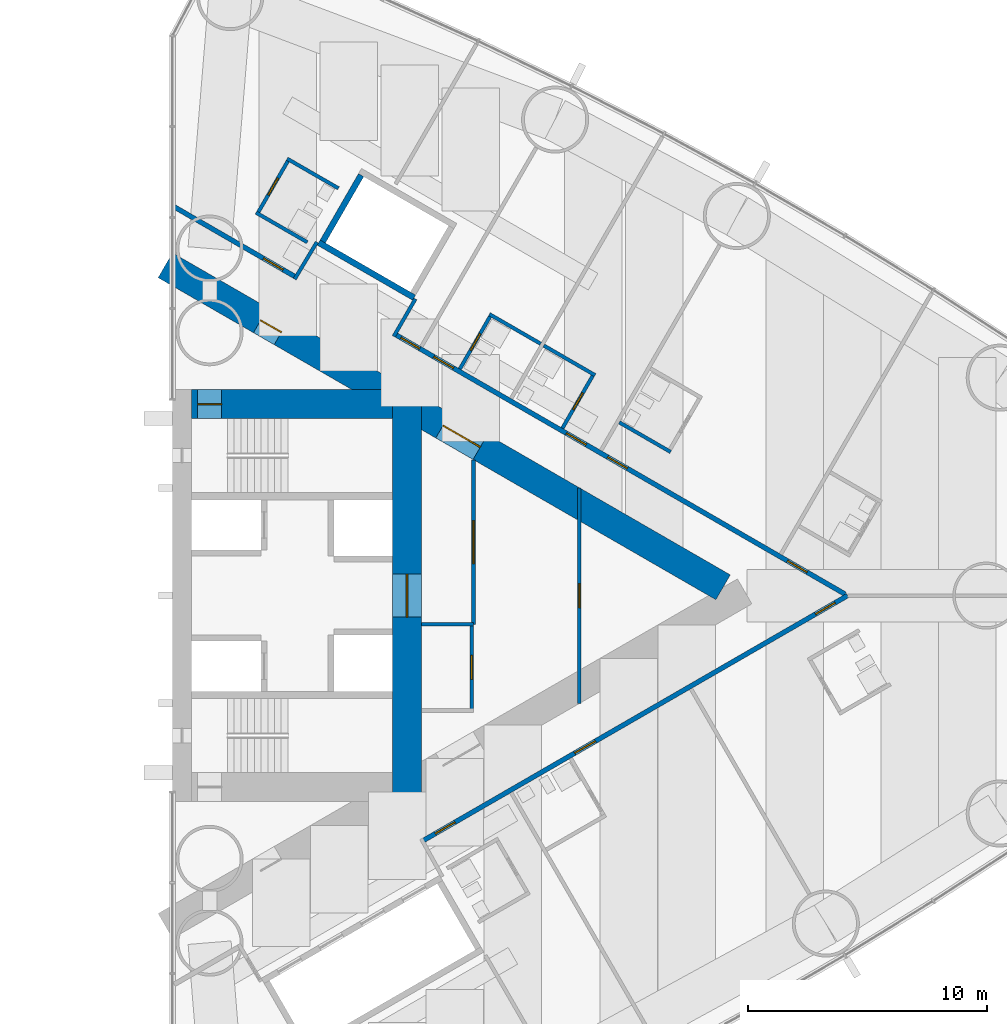
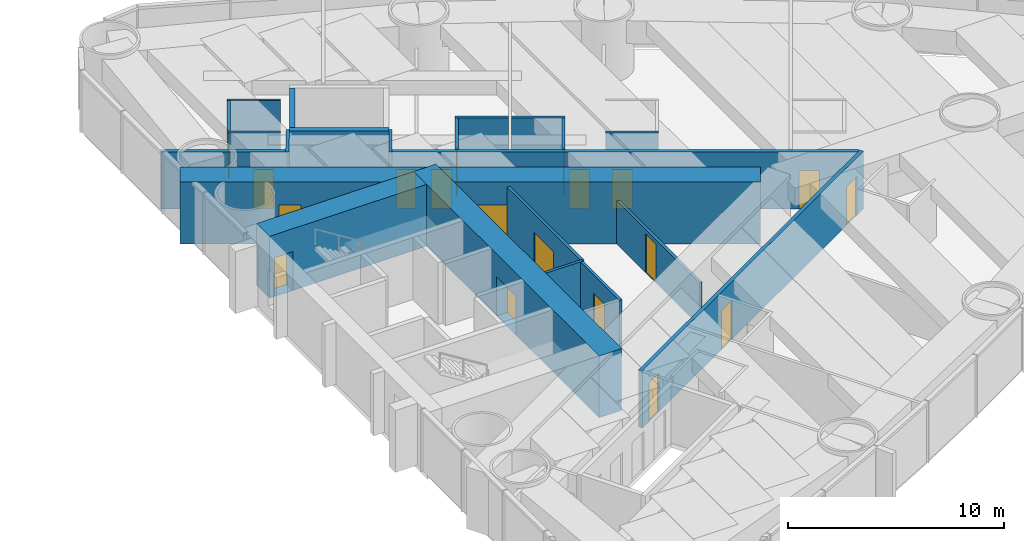
# One storey, part 14 of 18: 22 walls, 19 doors, 19 openings.
"""IFC4 building model written with IfcOpenShell, lengths in metres."""

from ifc_helpers import new_model, si_unit, direction, frame, frame_2d, origin, place, context, subcontext, project, spatial, rectangle, extrude, material, layer, layer_set, type_object, element, fill, save


model = new_model("IFC4")

# Units and contexts
model_context = context("Model", 3, precision=1e-05, world=origin(), true_north=direction((0.0, 1.0)))
body_context = subcontext(model_context, "Body", "Model", "MODEL_VIEW")
ifc_project = project(units=[si_unit("LENGTHUNIT", "METRE"), si_unit("AREAUNIT", "SQUARE_METRE"), si_unit("VOLUMEUNIT", "CUBIC_METRE"), si_unit("PLANEANGLEUNIT", "RADIAN"), si_unit("MASSUNIT", "GRAM", prefix="KILO")], contexts=[model_context])

# Site, building, storey
site_placement = place(None, origin())
site = spatial("IfcSite", under=ifc_project, at=site_placement, CompositionType="ELEMENT")
building_placement = place(site_placement, origin())
building = spatial("IfcBuilding", under=site, at=building_placement, Name="Lancet Gate Hotel", CompositionType="ELEMENT")
storey_placement = place(building_placement, frame((0.0, 0.0, 42.5)))
storey = spatial("IfcBuildingStorey", under=building, at=storey_placement, Name="L10", CompositionType="ELEMENT", Elevation=42.5)

# Walls
ifc_material_1 = material(Name="Moisture resistant board partition")
ifc_layer_1 = layer(ifc_material_1, 0.14990234375)
ifc_layer_set_1 = layer_set([ifc_layer_1], Name="Bathroom wall 150")
wall_type_1 = type_object("IfcWallType", Name="Bathroom wall 150", PredefinedType="PARTITIONING", material=ifc_layer_set_1)
wall_1_placement = place(storey_placement, frame((46.16796875, 7.23681640625, 0.0), z_axis=(0.0, 0.0, 1.0), x_axis=(0.866006523861, -0.500032699561, 0.0)))
element("IfcWall", 1, at=wall_1_placement, inside=storey, type_object=wall_type_1, Name="T2 bathroom wall 150 L10", PredefinedType="PARTITIONING", context=body_context, shape_type="SweptSolid", body=[
    extrude(rectangle(XDim=2.474853515625, YDim=0.14990234375, at=frame_2d((1.2373046875, 0.0))), origin(), (0.0, 0.0, 1.0), 3.25),
])
wall_2_placement = place(storey_placement, frame((43.01220703125, 10.4443359375, 0.0), z_axis=(0.0, 0.0, 1.0), x_axis=(0.866031185235, -0.4999899861, 0.0)))
element("IfcWall", 2, at=wall_2_placement, inside=storey, type_object=wall_type_1, Name="T2 bathroom wall 150 L10", PredefinedType="PARTITIONING", context=body_context, shape_type="SweptSolid", body=[
    extrude(rectangle(XDim=2.47509765625, YDim=0.14990234375, at=frame_2d((1.237548828125, 0.0))), origin(), (0.0, 0.0, 1.0), 3.25),
])

# Wall, opening, door
wall_3_placement = place(storey_placement, frame((43.790771484375, 6.99267578125, 0.0), z_axis=(0.0, 0.0, 1.0), x_axis=(0.500047596559, 0.865997922154, 0.0)))
wall_3 = element("IfcWall", 3, at=wall_3_placement, inside=storey, type_object=wall_type_1, Name="T2 bathroom wall 150 L10", PredefinedType="PARTITIONING", context=body_context, shape_type="SweptSolid", body=[
    extrude(rectangle(XDim=2.599853515625, YDim=0.14990234375, at=frame_2d((1.2998046875, 0.0))), origin(), (0.0, 0.0, 1.0), 3.25),
])
opening_1_placement = place(wall_3_placement, frame((0.89990234375, 0.0, 0.0)))
opening_1 = element("IfcOpeningElement", 4, at=opening_1_placement, cuts=wall_3, Name="Opening 1061-B", PredefinedType="OPENING", context=body_context, shape_type="SweptSolid", body=[
    extrude(rectangle(XDim=0.800048828125, YDim=2.199951171875, at=frame_2d((0.39990234375, 1.10009765625))), frame((0.0, 0.0849609375, 0.0), z_axis=(0.0, -1.0, 0.0), x_axis=(1.0, 0.0, 0.0)), (0.0, 0.0, 1.0), 0.169921875),
])
ifc_material_2 = material(Name="Timber door set", Category="wood")
door_type_1 = type_object("IfcDoorType", Name="Bathroom door 800", OperationType="SINGLE_SWING_RIGHT", PredefinedType="DOOR", material=ifc_material_2)
door_1_placement = place(opening_1_placement, origin())
door_1 = element("IfcDoor", 5, at=door_1_placement, inside=storey, type_object=door_type_1, Name="1061-B", OperationType="SINGLE_SWING_RIGHT", OverallHeight=2.199951171875, OverallWidth=0.800048828125, PredefinedType="DOOR", context=body_context, shape_type="SweptSolid", body=[
    extrude(rectangle(XDim=0.800048828125, YDim=2.199951171875, at=frame_2d((0.39990234375, 1.10009765625))), frame((0.0, 0.02490234375, 0.0), z_axis=(0.0, -1.0, 0.0), x_axis=(1.0, 0.0, 0.0)), (0.0, 0.0, 1.0), 0.050048828125),
])
fill(opening_1, door_1)

# Wall
wall_4_placement = place(storey_placement, frame((40.739013671875, 11.7568359375, 0.0), z_axis=(0.0, 0.0, 1.0), x_axis=(0.866006523861, -0.500032699561, 0.0)))
element("IfcWall", 6, at=wall_4_placement, inside=storey, type_object=wall_type_1, Name="T2 bathroom wall 150 L10", PredefinedType="PARTITIONING", context=body_context, shape_type="SweptSolid", body=[
    extrude(rectangle(XDim=2.474853515625, YDim=0.14990234375, at=frame_2d((1.2373046875, 0.0))), origin(), (0.0, 0.0, 1.0), 3.25),
])

# Wall, opening, door
wall_5_placement = place(storey_placement, frame((39.50390625, 9.467529296875, 0.0), z_axis=(0.0, 0.0, 1.0), x_axis=(0.500006934395, 0.866021400173, 0.0)))
wall_5 = element("IfcWall", 7, at=wall_5_placement, inside=storey, type_object=wall_type_1, Name="T2 bathroom wall 150 L10", PredefinedType="PARTITIONING", context=body_context, shape_type="SweptSolid", body=[
    extrude(rectangle(XDim=2.60009765625, YDim=0.14990234375, at=frame_2d((1.300048828125, 0.0))), origin(), (0.0, 0.0, 1.0), 3.25),
])
opening_2_placement = place(wall_5_placement, frame((0.89990234375, 0.0, 0.0)))
opening_2 = element("IfcOpeningElement", 8, at=opening_2_placement, cuts=wall_5, Name="Opening 1062-B", PredefinedType="OPENING", context=body_context, shape_type="SweptSolid", body=[
    extrude(rectangle(XDim=0.800048828125, YDim=2.199951171875, at=frame_2d((0.39990234375, 1.10009765625))), frame((0.0, 0.0849609375, 0.0), z_axis=(0.0, -1.0, 0.0), x_axis=(1.0, 0.0, 0.0)), (0.0, 0.0, 1.0), 0.169921875),
])
door_2_placement = place(opening_2_placement, origin())
door_2 = element("IfcDoor", 9, at=door_2_placement, inside=storey, type_object=door_type_1, Name="1062-B", OperationType="SINGLE_SWING_RIGHT", OverallHeight=2.199951171875, OverallWidth=0.800048828125, PredefinedType="DOOR", context=body_context, shape_type="SweptSolid", body=[
    extrude(rectangle(XDim=0.800048828125, YDim=2.199951171875, at=frame_2d((0.39990234375, 1.10009765625))), frame((0.0, 0.02490234375, 0.0), z_axis=(0.0, -1.0, 0.0), x_axis=(1.0, 0.0, 0.0)), (0.0, 0.0, 1.0), 0.050048828125),
])
fill(opening_2, door_2)

# Wall
wall_6_placement = place(storey_placement, frame((32.2890625, 18.251953125, 0.0), z_axis=(0.0, 0.0, 1.0), x_axis=(0.866006523861, -0.500032699561, 0.0)))
element("IfcWall", 10, at=wall_6_placement, inside=storey, type_object=wall_type_1, Name="T2 bathroom wall 150 L10", PredefinedType="PARTITIONING", context=body_context, shape_type="SweptSolid", body=[
    extrude(rectangle(XDim=2.474853515625, YDim=0.14990234375, at=frame_2d((1.2373046875, 0.0))), origin(), (0.0, 0.0, 1.0), 3.25),
])

# Wall, opening, door
wall_7_placement = place(storey_placement, frame((31.053955078125, 15.962646484375, 0.0), z_axis=(0.0, 0.0, 1.0), x_axis=(0.500006934395, 0.866021400173, 0.0)))
wall_7 = element("IfcWall", 11, at=wall_7_placement, inside=storey, type_object=wall_type_1, Name="T2 bathroom wall 150 L10", PredefinedType="PARTITIONING", context=body_context, shape_type="SweptSolid", body=[
    extrude(rectangle(XDim=2.60009765625, YDim=0.14990234375, at=frame_2d((1.300048828125, 0.0))), origin(), (0.0, 0.0, 1.0), 3.25),
])
opening_3_placement = place(wall_7_placement, frame((0.89990234375, 0.0, 0.0)))
opening_3 = element("IfcOpeningElement", 12, at=opening_3_placement, cuts=wall_7, Name="Opening 1064-B", PredefinedType="OPENING", context=body_context, shape_type="SweptSolid", body=[
    extrude(rectangle(XDim=0.800048828125, YDim=2.199951171875, at=frame_2d((0.39990234375, 1.10009765625))), frame((0.0, 0.0849609375, 0.0), z_axis=(0.0, -1.0, 0.0), x_axis=(1.0, 0.0, 0.0)), (0.0, 0.0, 1.0), 0.169921875),
])
door_3_placement = place(opening_3_placement, origin())
door_3 = element("IfcDoor", 13, at=door_3_placement, inside=storey, type_object=door_type_1, Name="1064-B", OperationType="SINGLE_SWING_RIGHT", OverallHeight=2.199951171875, OverallWidth=0.800048828125, PredefinedType="DOOR", context=body_context, shape_type="SweptSolid", body=[
    extrude(rectangle(XDim=0.800048828125, YDim=2.199951171875, at=frame_2d((0.39990234375, 1.10009765625))), frame((0.0, 0.02490234375, 0.0), z_axis=(0.0, -1.0, 0.0), x_axis=(1.0, 0.0, 0.0)), (0.0, 0.0, 1.0), 0.050048828125),
])
fill(opening_3, door_3)

# Wall
wall_8_placement = place(storey_placement, frame((30.989013671875, 16.000244140625, 0.0), z_axis=(0.0, 0.0, 1.0), x_axis=(0.866031185235, -0.4999899861, 0.0)))
element("IfcWall", 14, at=wall_8_placement, inside=storey, type_object=wall_type_1, Name="T2 bathroom wall 150 L10", PredefinedType="PARTITIONING", context=body_context, shape_type="SweptSolid", body=[
    extrude(rectangle(XDim=2.47509765625, YDim=0.14990234375, at=frame_2d((1.237548828125, 0.0))), origin(), (0.0, 0.0, 1.0), 3.25),
])

# Wall, openings, doors
ifc_material_3 = material(Name="Concrete C70/85", Category="concrete")
ifc_layer_2 = layer(ifc_material_3, 1.199951171875)
ifc_layer_set_2 = layer_set([ifc_layer_2], Name="Buttress wall 1200")
wall_type_2 = type_object("IfcWallType", Name="Buttress wall 1200", PredefinedType="SHEAR", material=ifc_layer_set_2)
wall_9_placement = place(storey_placement, frame((27.199951171875, 13.800048828125, 0.0), z_axis=(0.0, 0.0, 1.0), x_axis=(0.866024515034, -0.500001539357, 0.0)))
wall_9 = element("IfcWall", 15, at=wall_9_placement, inside=storey, type_object=wall_type_2, Name="T2 buttress wall N L10", PredefinedType="SHEAR", context=body_context, shape_type="SweptSolid", body=[
    extrude(rectangle(XDim=26.9072265625, YDim=1.199951171875, at=frame_2d((13.45361328125, 0.0))), origin(), (0.0, 0.0, 1.0), 3.5),
])
opening_4_placement = place(wall_9_placement, frame((4.60009765625, 0.0, 0.0)))
opening_4 = element("IfcOpeningElement", 16, at=opening_4_placement, cuts=wall_9, Name="Opening T2-L10-LN", PredefinedType="OPENING", context=body_context, shape_type="SweptSolid", body=[
    extrude(rectangle(XDim=1.0, YDim=2.199951171875, at=frame_2d((0.5, 1.10009765625))), frame((0.0, 0.60986328125, 0.0), z_axis=(0.0, -1.0, 0.0), x_axis=(1.0, 0.0, 0.0)), (0.0, 0.0, 1.0), 1.219970703125),
])
opening_5_placement = place(wall_9_placement, frame((13.39453125, 0.0, 0.0)))
opening_5 = element("IfcOpeningElement", 17, at=opening_5_placement, cuts=wall_9, Name="Opening T2-L10-LHN", PredefinedType="OPENING", context=body_context, shape_type="SweptSolid", body=[
    extrude(rectangle(XDim=1.800048828125, YDim=2.199951171875, at=frame_2d((0.89990234375, 1.10009765625))), frame((0.0, 0.60986328125, 0.0), z_axis=(0.0, -1.0, 0.0), x_axis=(1.0, 0.0, 0.0)), (0.0, 0.0, 1.0), 1.219970703125),
])
ifc_material_4 = material(Name="Timber door set", Category="wood")
door_type_2 = type_object("IfcDoorType", Name="Lobby double door 1800", OperationType="DOUBLE_DOOR_SINGLE_SWING", PredefinedType="DOOR", material=ifc_material_4)
door_4_placement = place(opening_5_placement, origin())
door_4 = element("IfcDoor", 18, at=door_4_placement, inside=storey, type_object=door_type_2, Name="T2-L10-LHN", OperationType="DOUBLE_DOOR_SINGLE_SWING", OverallHeight=2.199951171875, OverallWidth=1.800048828125, PredefinedType="DOOR", context=body_context, shape_type="SweptSolid", body=[
    extrude(rectangle(XDim=1.800048828125, YDim=2.199951171875, at=frame_2d((0.89990234375, 1.10009765625))), frame((0.0, 0.02490234375, 0.0), z_axis=(0.0, -1.0, 0.0), x_axis=(1.0, 0.0, 0.0)), (0.0, 0.0, 1.0), 0.050048828125),
])
fill(opening_5, door_4)
ifc_material_5 = material(Name="Timber door set", Category="wood")
door_type_3 = type_object("IfcDoorType", Name="Stair lobby door 1000", OperationType="SINGLE_SWING_LEFT", PredefinedType="DOOR", material=ifc_material_5)
door_5_placement = place(opening_4_placement, origin())
door_5 = element("IfcDoor", 19, at=door_5_placement, inside=storey, type_object=door_type_3, Name="T2-L10-LN", OperationType="SINGLE_SWING_LEFT", OverallHeight=2.199951171875, OverallWidth=1.0, PredefinedType="DOOR", context=body_context, shape_type="SweptSolid", body=[
    extrude(rectangle(XDim=1.0, YDim=2.199951171875, at=frame_2d((0.5, 1.10009765625))), frame((0.0, 0.02490234375, 0.0), z_axis=(0.0, -1.0, 0.0), x_axis=(1.0, 0.0, 0.0)), (0.0, 0.0, 1.0), 0.050048828125),
])
fill(opening_4, door_5)

# Wall, opening, door
ifc_material_6 = material(Name="Concrete C70/85", Category="concrete")
ifc_layer_3 = layer(ifc_material_6, 1.199951171875)
ifc_layer_set_3 = layer_set([ifc_layer_3], Name="Core wall 1200")
wall_type_3 = type_object("IfcWallType", Name="Core wall 1200", PredefinedType="SHEAR", material=ifc_layer_set_3)
wall_10_placement = place(storey_placement, frame((37.300048828125, -8.60009765625, 0.0), z_axis=(0.0, 0.0, 1.0), x_axis=(0.0, 1.0, 0.0)))
wall_10 = element("IfcWall", 20, at=wall_10_placement, inside=storey, type_object=wall_type_3, Name="T2 core wall back L10", PredefinedType="SHEAR", context=body_context, shape_type="SweptSolid", body=[
    extrude(rectangle(XDim=17.2001953125, YDim=1.199951171875, at=frame_2d((8.60009765625, 0.0))), origin(), (0.0, 0.0, 1.0), 3.5),
])
opening_6_placement = place(wall_10_placement, frame((7.699951171875, 0.0, 0.0)))
opening_6 = element("IfcOpeningElement", 21, at=opening_6_placement, cuts=wall_10, Name="Opening T2-L10-LL", PredefinedType="OPENING", context=body_context, shape_type="SweptSolid", body=[
    extrude(rectangle(XDim=1.800048828125, YDim=2.199951171875, at=frame_2d((0.89990234375, 1.10009765625))), frame((0.0, 0.60986328125, 0.0), z_axis=(0.0, -1.0, 0.0), x_axis=(1.0, 0.0, 0.0)), (0.0, 0.0, 1.0), 1.219970703125),
])
door_6_placement = place(opening_6_placement, origin())
door_6 = element("IfcDoor", 22, at=door_6_placement, inside=storey, type_object=door_type_2, Name="T2-L10-LL", OperationType="DOUBLE_DOOR_SINGLE_SWING", OverallHeight=2.199951171875, OverallWidth=1.800048828125, PredefinedType="DOOR", context=body_context, shape_type="SweptSolid", body=[
    extrude(rectangle(XDim=1.800048828125, YDim=2.199951171875, at=frame_2d((0.89990234375, 1.10009765625))), frame((0.0, 0.02490234375, 0.0), z_axis=(0.0, -1.0, 0.0), x_axis=(1.0, 0.0, 0.0)), (0.0, 0.0, 1.0), 0.050048828125),
])
fill(opening_6, door_6)

wall_11_placement = place(storey_placement, frame((28.300048828125, 8.0, 0.0), z_axis=(0.0, 0.0, 1.0), x_axis=(1.0, 0.0, 0.0)))
wall_11 = element("IfcWall", 23, at=wall_11_placement, inside=storey, type_object=wall_type_3, Name="T2 core wall side-N L10", PredefinedType="SHEAR", context=body_context, shape_type="SweptSolid", body=[
    extrude(rectangle(XDim=8.39990234375, YDim=1.199951171875, at=frame_2d((4.199951171875, 0.0))), origin(), (0.0, 0.0, 1.0), 3.5),
])
opening_7_placement = place(wall_11_placement, frame((0.25, 0.0, 0.0)))
opening_7 = element("IfcOpeningElement", 24, at=opening_7_placement, cuts=wall_11, Name="Opening T2-L10-ST2", PredefinedType="OPENING", context=body_context, shape_type="SweptSolid", body=[
    extrude(rectangle(XDim=1.0, YDim=2.199951171875, at=frame_2d((0.5, 1.10009765625))), frame((0.0, 0.60986328125, 0.0), z_axis=(0.0, -1.0, 0.0), x_axis=(1.0, 0.0, 0.0)), (0.0, 0.0, 1.0), 1.219970703125),
])
ifc_material_7 = material(Name="Timber door set", Category="wood")
door_type_4 = type_object("IfcDoorType", Name="Stair door 1000", OperationType="SINGLE_SWING_RIGHT", PredefinedType="DOOR", material=ifc_material_7)
door_7_placement = place(opening_7_placement, origin())
door_7 = element("IfcDoor", 25, at=door_7_placement, inside=storey, type_object=door_type_4, Name="T2-L10-ST2", OperationType="SINGLE_SWING_RIGHT", OverallHeight=2.199951171875, OverallWidth=1.0, PredefinedType="DOOR", context=body_context, shape_type="SweptSolid", body=[
    extrude(rectangle(XDim=1.0, YDim=2.199951171875, at=frame_2d((0.5, 1.10009765625))), frame((0.0, 0.02490234375, 0.0), z_axis=(0.0, -1.0, 0.0), x_axis=(1.0, 0.0, 0.0)), (0.0, 0.0, 1.0), 0.050048828125),
])
fill(opening_7, door_7)

# Wall, openings, doors
ifc_material_8 = material(Name="Gypsum board partition")
ifc_layer_4 = layer(ifc_material_8, 0.199951171875)
ifc_layer_set_4 = layer_set([ifc_layer_4], Name="Corridor wall 200")
wall_type_4 = type_object("IfcWallType", Name="Corridor wall 200", PredefinedType="PARTITIONING", material=ifc_layer_set_4)
wall_12_placement = place(storey_placement, frame((37.9599609375, -10.243408203125, 0.0), z_axis=(0.0, 0.0, 1.0), x_axis=(0.866026429433, 0.499998223521, 0.0)))
wall_12 = element("IfcWall", 26, at=wall_12_placement, inside=storey, type_object=wall_type_4, Name="T2 corridor wall 200 L10", PredefinedType="PARTITIONING", context=body_context, shape_type="SweptSolid", body=[
    extrude(rectangle(XDim=20.48681640625, YDim=0.199951171875, at=frame_2d((10.243408203125, 0.0))), origin(), (0.0, 0.0, 1.0), 3.25),
])
opening_8_placement = place(wall_12_placement, frame((7.324951171875, 0.0, 0.0)))
opening_8 = element("IfcOpeningElement", 27, at=opening_8_placement, cuts=wall_12, Name="Opening 1054-E", PredefinedType="OPENING", context=body_context, shape_type="SweptSolid", body=[
    extrude(rectangle(XDim=1.0, YDim=2.199951171875, at=frame_2d((0.5, 1.10009765625))), frame((0.0, 0.10986328125, 0.0), z_axis=(0.0, -1.0, 0.0), x_axis=(1.0, 0.0, 0.0)), (0.0, 0.0, 1.0), 0.219970703125),
])
opening_9_placement = place(wall_12_placement, frame((18.93701171875, 0.0, 0.0)))
opening_9 = element("IfcOpeningElement", 28, at=opening_9_placement, cuts=wall_12, Name="Opening 1056-E", PredefinedType="OPENING", context=body_context, shape_type="SweptSolid", body=[
    extrude(rectangle(XDim=0.949951171875, YDim=2.199951171875, at=frame_2d((0.47509765625, 1.10009765625))), frame((0.0, 0.10986328125, 0.0), z_axis=(0.0, -1.0, 0.0), x_axis=(1.0, 0.0, 0.0)), (0.0, 0.0, 1.0), 0.219970703125),
])
opening_10_placement = place(wall_12_placement, frame((0.60009765625, 0.0, 0.0)))
opening_10 = element("IfcOpeningElement", 29, at=opening_10_placement, cuts=wall_12, Name="Opening 1053-E", PredefinedType="OPENING", context=body_context, shape_type="SweptSolid", body=[
    extrude(rectangle(XDim=0.949951171875, YDim=2.199951171875, at=frame_2d((0.47509765625, 1.10009765625))), frame((0.0, 0.10986328125, 0.0), z_axis=(0.0, -1.0, 0.0), x_axis=(1.0, 0.0, 0.0)), (0.0, 0.0, 1.0), 0.219970703125),
])
ifc_material_9 = material(Name="Timber door set", Category="wood")
door_type_5 = type_object("IfcDoorType", Name="Accessible guest room door 1000", OperationType="SINGLE_SWING_LEFT", PredefinedType="DOOR", material=ifc_material_9)
door_8_placement = place(opening_8_placement, origin())
door_8 = element("IfcDoor", 30, at=door_8_placement, inside=storey, type_object=door_type_5, Name="1054-E", OperationType="SINGLE_SWING_LEFT", OverallHeight=2.199951171875, OverallWidth=1.0, PredefinedType="DOOR", context=body_context, shape_type="SweptSolid", body=[
    extrude(rectangle(XDim=1.0, YDim=2.199951171875, at=frame_2d((0.5, 1.10009765625))), frame((0.0, 0.02490234375, 0.0), z_axis=(0.0, -1.0, 0.0), x_axis=(1.0, 0.0, 0.0)), (0.0, 0.0, 1.0), 0.050048828125),
])
fill(opening_8, door_8)
ifc_material_10 = material(Name="Timber door set", Category="wood")
door_type_6 = type_object("IfcDoorType", Name="Guest room entry door 950", OperationType="SINGLE_SWING_LEFT", PredefinedType="DOOR", material=ifc_material_10)
door_9_placement = place(opening_9_placement, origin())
door_9 = element("IfcDoor", 31, at=door_9_placement, inside=storey, type_object=door_type_6, Name="1056-E", OperationType="SINGLE_SWING_LEFT", OverallHeight=2.199951171875, OverallWidth=0.949951171875, PredefinedType="DOOR", context=body_context, shape_type="SweptSolid", body=[
    extrude(rectangle(XDim=0.949951171875, YDim=2.199951171875, at=frame_2d((0.47509765625, 1.10009765625))), frame((0.0, 0.02490234375, 0.0), z_axis=(0.0, -1.0, 0.0), x_axis=(1.0, 0.0, 0.0)), (0.0, 0.0, 1.0), 0.050048828125),
])
fill(opening_9, door_9)
door_10_placement = place(opening_10_placement, origin())
door_10 = element("IfcDoor", 32, at=door_10_placement, inside=storey, type_object=door_type_6, Name="1053-E", OperationType="SINGLE_SWING_LEFT", OverallHeight=2.199951171875, OverallWidth=0.949951171875, PredefinedType="DOOR", context=body_context, shape_type="SweptSolid", body=[
    extrude(rectangle(XDim=0.949951171875, YDim=2.199951171875, at=frame_2d((0.47509765625, 1.10009765625))), frame((0.0, 0.02490234375, 0.0), z_axis=(0.0, -1.0, 0.0), x_axis=(1.0, 0.0, 0.0)), (0.0, 0.0, 1.0), 0.050048828125),
])
fill(opening_10, door_10)

# Wall, opening, door
wall_13_placement = place(storey_placement, frame((27.572021484375, 16.240966796875, 0.0), z_axis=(0.0, 0.0, 1.0), x_axis=(0.866032814021, -0.499987164874, 0.0)))
wall_13 = element("IfcWall", 33, at=wall_13_placement, inside=storey, type_object=wall_type_4, Name="T2 corridor wall 200 L10", PredefinedType="PARTITIONING", context=body_context, shape_type="SweptSolid", body=[
    extrude(rectangle(XDim=5.854736328125, YDim=0.199951171875, at=frame_2d((2.92724609375, 0.0))), origin(), (0.0, 0.0, 1.0), 3.25),
])
opening_11_placement = place(wall_13_placement, frame((4.3046875, 0.0, 0.0)))
opening_11 = element("IfcOpeningElement", 34, at=opening_11_placement, cuts=wall_13, Name="Opening 1064-E", PredefinedType="OPENING", context=body_context, shape_type="SweptSolid", body=[
    extrude(rectangle(XDim=0.949951171875, YDim=2.199951171875, at=frame_2d((0.47509765625, 1.10009765625))), frame((0.0, 0.10986328125, 0.0), z_axis=(0.0, -1.0, 0.0), x_axis=(1.0, 0.0, 0.0)), (0.0, 0.0, 1.0), 0.219970703125),
])
door_11_placement = place(opening_11_placement, origin())
door_11 = element("IfcDoor", 35, at=door_11_placement, inside=storey, type_object=door_type_6, Name="1064-E", OperationType="SINGLE_SWING_LEFT", OverallHeight=2.199951171875, OverallWidth=0.949951171875, PredefinedType="DOOR", context=body_context, shape_type="SweptSolid", body=[
    extrude(rectangle(XDim=0.949951171875, YDim=2.199951171875, at=frame_2d((0.47509765625, 1.10009765625))), frame((0.0, 0.02490234375, 0.0), z_axis=(0.0, -1.0, 0.0), x_axis=(1.0, 0.0, 0.0)), (0.0, 0.0, 1.0), 0.050048828125),
])
fill(opening_11, door_11)

# Wall, openings, doors
wall_14_placement = place(storey_placement, frame((36.833984375, 10.8935546875, 0.0), z_axis=(0.0, 0.0, 1.0), x_axis=(0.866028157229, -0.499995230863, 0.0)))
wall_14 = element("IfcWall", 36, at=wall_14_placement, inside=storey, type_object=wall_type_4, Name="T2 corridor wall 200 L10", PredefinedType="PARTITIONING", context=body_context, shape_type="SweptSolid", body=[
    extrude(rectangle(XDim=21.667236328125, YDim=0.199951171875, at=frame_2d((10.83349609375, 0.0))), origin(), (0.0, 0.0, 1.0), 3.25),
])
opening_12_placement = place(wall_14_placement, frame((18.885498046875, 0.0, 0.0)))
opening_12 = element("IfcOpeningElement", 37, at=opening_12_placement, cuts=wall_14, Name="Opening 1058-E", PredefinedType="OPENING", context=body_context, shape_type="SweptSolid", body=[
    extrude(rectangle(XDim=0.949951171875, YDim=2.199951171875, at=frame_2d((0.47509765625, 1.10009765625))), frame((0.0, 0.10986328125, 0.0), z_axis=(0.0, -1.0, 0.0), x_axis=(1.0, 0.0, 0.0)), (0.0, 0.0, 1.0), 0.219970703125),
])
opening_13_placement = place(wall_14_placement, frame((10.211669921875, 0.0, 0.0)))
opening_13 = element("IfcOpeningElement", 38, at=opening_13_placement, cuts=wall_14, Name="Opening 1059-E", PredefinedType="OPENING", context=body_context, shape_type="SweptSolid", body=[
    extrude(rectangle(XDim=0.949951171875, YDim=2.199951171875, at=frame_2d((0.47509765625, 1.10009765625))), frame((0.0, 0.10986328125, 0.0), z_axis=(0.0, -1.0, 0.0), x_axis=(1.0, 0.0, 0.0)), (0.0, 0.0, 1.0), 0.219970703125),
])
opening_14_placement = place(wall_14_placement, frame((8.22509765625, 0.0, 0.0)))
opening_14 = element("IfcOpeningElement", 39, at=opening_14_placement, cuts=wall_14, Name="Opening 1061-E", PredefinedType="OPENING", context=body_context, shape_type="SweptSolid", body=[
    extrude(rectangle(XDim=0.949951171875, YDim=2.199951171875, at=frame_2d((0.47509765625, 1.10009765625))), frame((0.0, 0.10986328125, 0.0), z_axis=(0.0, -1.0, 0.0), x_axis=(1.0, 0.0, 0.0)), (0.0, 0.0, 1.0), 0.219970703125),
])
opening_15_placement = place(wall_14_placement, frame((1.8251953125, 0.0, 0.0)))
opening_15 = element("IfcOpeningElement", 40, at=opening_15_placement, cuts=wall_14, Name="Opening 1062-E", PredefinedType="OPENING", context=body_context, shape_type="SweptSolid", body=[
    extrude(rectangle(XDim=0.949951171875, YDim=2.199951171875, at=frame_2d((0.47509765625, 1.10009765625))), frame((0.0, 0.10986328125, 0.0), z_axis=(0.0, -1.0, 0.0), x_axis=(1.0, 0.0, 0.0)), (0.0, 0.0, 1.0), 0.219970703125),
])
opening_16_placement = place(wall_14_placement, frame((0.246337890625, 0.0, 0.0)))
opening_16 = element("IfcOpeningElement", 41, at=opening_16_placement, cuts=wall_14, Name="Opening T2-L10-LO2", PredefinedType="OPENING", context=body_context, shape_type="SweptSolid", body=[
    extrude(rectangle(XDim=0.89990234375, YDim=2.199951171875, at=frame_2d((0.449951171875, 1.10009765625))), frame((0.0, 0.10986328125, 0.0), z_axis=(0.0, -1.0, 0.0), x_axis=(1.0, 0.0, 0.0)), (0.0, 0.0, 1.0), 0.219970703125),
])
door_12_placement = place(opening_12_placement, origin())
door_12 = element("IfcDoor", 42, at=door_12_placement, inside=storey, type_object=door_type_6, Name="1058-E", OperationType="SINGLE_SWING_LEFT", OverallHeight=2.199951171875, OverallWidth=0.949951171875, PredefinedType="DOOR", context=body_context, shape_type="SweptSolid", body=[
    extrude(rectangle(XDim=0.949951171875, YDim=2.199951171875, at=frame_2d((0.47509765625, 1.10009765625))), frame((0.0, 0.02490234375, 0.0), z_axis=(0.0, -1.0, 0.0), x_axis=(1.0, 0.0, 0.0)), (0.0, 0.0, 1.0), 0.050048828125),
])
fill(opening_12, door_12)
door_13_placement = place(opening_13_placement, origin())
door_13 = element("IfcDoor", 43, at=door_13_placement, inside=storey, type_object=door_type_6, Name="1059-E", OperationType="SINGLE_SWING_LEFT", OverallHeight=2.199951171875, OverallWidth=0.949951171875, PredefinedType="DOOR", context=body_context, shape_type="SweptSolid", body=[
    extrude(rectangle(XDim=0.949951171875, YDim=2.199951171875, at=frame_2d((0.47509765625, 1.10009765625))), frame((0.0, 0.02490234375, 0.0), z_axis=(0.0, -1.0, 0.0), x_axis=(1.0, 0.0, 0.0)), (0.0, 0.0, 1.0), 0.050048828125),
])
fill(opening_13, door_13)
door_14_placement = place(opening_14_placement, origin())
door_14 = element("IfcDoor", 44, at=door_14_placement, inside=storey, type_object=door_type_6, Name="1061-E", OperationType="SINGLE_SWING_LEFT", OverallHeight=2.199951171875, OverallWidth=0.949951171875, PredefinedType="DOOR", context=body_context, shape_type="SweptSolid", body=[
    extrude(rectangle(XDim=0.949951171875, YDim=2.199951171875, at=frame_2d((0.47509765625, 1.10009765625))), frame((0.0, 0.02490234375, 0.0), z_axis=(0.0, -1.0, 0.0), x_axis=(1.0, 0.0, 0.0)), (0.0, 0.0, 1.0), 0.050048828125),
])
fill(opening_14, door_14)
door_15_placement = place(opening_15_placement, origin())
door_15 = element("IfcDoor", 45, at=door_15_placement, inside=storey, type_object=door_type_6, Name="1062-E", OperationType="SINGLE_SWING_LEFT", OverallHeight=2.199951171875, OverallWidth=0.949951171875, PredefinedType="DOOR", context=body_context, shape_type="SweptSolid", body=[
    extrude(rectangle(XDim=0.949951171875, YDim=2.199951171875, at=frame_2d((0.47509765625, 1.10009765625))), frame((0.0, 0.02490234375, 0.0), z_axis=(0.0, -1.0, 0.0), x_axis=(1.0, 0.0, 0.0)), (0.0, 0.0, 1.0), 0.050048828125),
])
fill(opening_15, door_15)
door_16_placement = place(opening_16_placement, origin())
door_16 = element("IfcDoor", 46, at=door_16_placement, inside=storey, type_object=door_type_6, Name="T2-L10-LO2", OperationType="SINGLE_SWING_LEFT", OverallHeight=2.199951171875, OverallWidth=0.89990234375, PredefinedType="DOOR", context=body_context, shape_type="SweptSolid", body=[
    extrude(rectangle(XDim=0.89990234375, YDim=2.199951171875, at=frame_2d((0.449951171875, 1.10009765625))), frame((0.0, 0.02490234375, 0.0), z_axis=(0.0, -1.0, 0.0), x_axis=(1.0, 0.0, 0.0)), (0.0, 0.0, 1.0), 0.050048828125),
])
fill(opening_16, door_16)

# Walls
ifc_material_11 = material(Name="Gypsum board partition")
ifc_layer_5 = layer(ifc_material_11, 0.25)
ifc_layer_set_5 = layer_set([ifc_layer_5], Name="Lift shaft partition 250")
wall_type_5 = type_object("IfcWallType", Name="Lift shaft partition 250", PredefinedType="PARTITIONING", material=ifc_layer_set_5)
wall_15_placement = place(storey_placement, frame((33.6083984375, 14.747314453125, 0.0), z_axis=(0.0, 0.0, 1.0), x_axis=(0.866043305498, -0.49996899204, 0.0)))
element("IfcWall", 47, at=wall_15_placement, inside=storey, type_object=wall_type_5, Name="T2 lift shaft wall EX L10", PredefinedType="PARTITIONING", context=body_context, shape_type="SweptSolid", body=[
    extrude(rectangle(XDim=4.600341796875, YDim=0.25, at=frame_2d((2.30029296875, 0.0))), origin(), (0.0, 0.0, 1.0), 3.25),
])
wall_16_placement = place(storey_placement, frame((33.779296875, 14.79296875, 0.0), z_axis=(0.0, 0.0, 1.0), x_axis=(0.499929347863, 0.866066190972, 0.0)))
element("IfcWall", 48, at=wall_16_placement, inside=storey, type_object=wall_type_5, Name="T2 lift shaft wall EX L10", PredefinedType="PARTITIONING", context=body_context, shape_type="SweptSolid", body=[
    extrude(rectangle(XDim=3.20068359375, YDim=0.25, at=frame_2d((1.600341796875, 0.0))), origin(), (0.0, 0.0, 1.0), 3.25),
])
ifc_material_12 = material(Name="Gypsum board partition")
ifc_layer_6 = layer(ifc_material_12, 0.14990234375)
ifc_layer_set_6 = layer_set([ifc_layer_6], Name="Service room wall 150")
wall_type_6 = type_object("IfcWallType", Name="Service room wall 150", PredefinedType="PARTITIONING", material=ifc_layer_set_6)
for number, where, z_axis, x_axis, name in (
    (49, (33.533447265625, 14.767333984375, 0.0), (0.0, 0.0, 1.0), (-0.514296815006, -0.857612258585, 0.0), "T2 service room wall 150 L10"),
    (50, (36.7451171875, 10.829345703125, 0.0), (0.0, 0.0, 1.0), (0.499921502396, 0.866070719654, 0.0), "T2 service room wall 150 L10"),
):
    element("IfcWall", number, at=place(storey_placement, frame(where, z_axis=z_axis, x_axis=x_axis)), inside=storey, type_object=wall_type_6, Name=name, PredefinedType="PARTITIONING", context=body_context, shape_type="SweptSolid", body=[
        extrude(rectangle(XDim=1.804931640625, YDim=0.14990234375, at=frame_2d((0.90234375, 0.0))), origin(), (0.0, 0.0, 1.0), 3.25),
    ])
wall_17_placement = place(storey_placement, frame((37.89990234375, -1.199951171875, 0.0), z_axis=(0.0, 0.0, 1.0), x_axis=(1.0, 0.0, 0.0)))
element("IfcWall", 51, at=wall_17_placement, inside=storey, type_object=wall_type_6, Name="T2 service room wall 150 L10", PredefinedType="PARTITIONING", context=body_context, shape_type="SweptSolid", body=[
    extrude(rectangle(XDim=2.175048828125, YDim=0.14990234375, at=frame_2d((1.08740234375, 0.0))), origin(), (0.0, 0.0, 1.0), 3.25),
])

# Wall, opening, door
wall_18_placement = place(storey_placement, frame((40.0, -4.875, 0.0), z_axis=(0.0, 0.0, 1.0), x_axis=(0.0, 1.0, 0.0)))
wall_18 = element("IfcWall", 52, at=wall_18_placement, inside=storey, type_object=wall_type_6, Name="T2 service room wall 150 L10", PredefinedType="PARTITIONING", context=body_context, shape_type="SweptSolid", body=[
    extrude(rectangle(XDim=3.75, YDim=0.14990234375, at=frame_2d((1.875, 0.0))), origin(), (0.0, 0.0, 1.0), 3.25),
])
opening_17_placement = place(wall_18_placement, frame((1.375, 0.0, 0.0)))
opening_17 = element("IfcOpeningElement", 53, at=opening_17_placement, cuts=wall_18, Name="Opening T2-L10-HRS0", PredefinedType="OPENING", context=body_context, shape_type="SweptSolid", body=[
    extrude(rectangle(XDim=1.0, YDim=2.199951171875, at=frame_2d((0.5, 1.10009765625))), frame((0.0, 0.0849609375, 0.0), z_axis=(0.0, -1.0, 0.0), x_axis=(1.0, 0.0, 0.0)), (0.0, 0.0, 1.0), 0.169921875),
])
ifc_material_13 = material(Name="Timber door set", Category="wood")
door_type_7 = type_object("IfcDoorType", Name="Service door 1000", OperationType="SINGLE_SWING_LEFT", PredefinedType="DOOR", material=ifc_material_13)
door_17_placement = place(opening_17_placement, origin())
door_17 = element("IfcDoor", 54, at=door_17_placement, inside=storey, type_object=door_type_7, Name="T2-L10-HRS0", OperationType="SINGLE_SWING_LEFT", OverallHeight=2.199951171875, OverallWidth=1.0, PredefinedType="DOOR", context=body_context, shape_type="SweptSolid", body=[
    extrude(rectangle(XDim=1.0, YDim=2.199951171875, at=frame_2d((0.5, 1.10009765625))), frame((0.0, 0.02490234375, 0.0), z_axis=(0.0, -1.0, 0.0), x_axis=(1.0, 0.0, 0.0)), (0.0, 0.0, 1.0), 0.050048828125),
])
fill(opening_17, door_17)

wall_19_placement = place(storey_placement, frame((40.074951171875, -1.199951171875, 0.0), z_axis=(0.0, 0.0, 1.0), x_axis=(0.0, 1.0, 0.0)))
wall_19 = element("IfcWall", 55, at=wall_19_placement, inside=storey, type_object=wall_type_6, Name="T2 service room wall 150 L10", PredefinedType="PARTITIONING", context=body_context, shape_type="SweptSolid", body=[
    extrude(rectangle(XDim=6.873779296875, YDim=0.14990234375, at=frame_2d((3.43701171875, 0.0))), origin(), (0.0, 0.0, 1.0), 3.25),
])
opening_18_placement = place(wall_19_placement, frame((2.536865234375, 0.0, 0.0)))
opening_18 = element("IfcOpeningElement", 56, at=opening_18_placement, cuts=wall_19, Name="Opening T2-L10-LH", PredefinedType="OPENING", context=body_context, shape_type="SweptSolid", body=[
    extrude(rectangle(XDim=1.800048828125, YDim=2.199951171875, at=frame_2d((0.89990234375, 1.10009765625))), frame((0.0, 0.0849609375, 0.0), z_axis=(0.0, -1.0, 0.0), x_axis=(1.0, 0.0, 0.0)), (0.0, 0.0, 1.0), 0.169921875),
])
door_18_placement = place(opening_18_placement, origin())
door_18 = element("IfcDoor", 57, at=door_18_placement, inside=storey, type_object=door_type_2, Name="T2-L10-LH", OperationType="DOUBLE_DOOR_SINGLE_SWING", OverallHeight=2.199951171875, OverallWidth=1.800048828125, PredefinedType="DOOR", context=body_context, shape_type="SweptSolid", body=[
    extrude(rectangle(XDim=1.800048828125, YDim=2.199951171875, at=frame_2d((0.89990234375, 1.10009765625))), frame((0.0, 0.02490234375, 0.0), z_axis=(0.0, -1.0, 0.0), x_axis=(1.0, 0.0, 0.0)), (0.0, 0.0, 1.0), 0.050048828125),
])
fill(opening_18, door_18)

wall_20_placement = place(storey_placement, frame((44.5, -4.504638671875, 0.0), z_axis=(0.0, 0.0, 1.0), x_axis=(0.0, 1.0, 0.0)))
wall_20 = element("IfcWall", 58, at=wall_20_placement, inside=storey, type_object=wall_type_6, Name="T2 service room wall 150 L10", PredefinedType="PARTITIONING", context=body_context, shape_type="SweptSolid", body=[
    extrude(rectangle(XDim=9.00927734375, YDim=0.14990234375, at=frame_2d((4.504638671875, 0.0))), origin(), (0.0, 0.0, 1.0), 2.449951171875),
])
opening_19_placement = place(wall_20_placement, frame((4.004638671875, 0.0, 0.0)))
opening_19 = element("IfcOpeningElement", 59, at=opening_19_placement, cuts=wall_20, Name="Opening T2-L10-SV", PredefinedType="OPENING", context=body_context, shape_type="SweptSolid", body=[
    extrude(rectangle(XDim=1.0, YDim=2.199951171875, at=frame_2d((0.5, 1.10009765625))), frame((0.0, 0.0849609375, 0.0), z_axis=(0.0, -1.0, 0.0), x_axis=(1.0, 0.0, 0.0)), (0.0, 0.0, 1.0), 0.169921875),
])
door_19_placement = place(opening_19_placement, origin())
door_19 = element("IfcDoor", 60, at=door_19_placement, inside=storey, type_object=door_type_7, Name="T2-L10-SV", OperationType="SINGLE_SWING_LEFT", OverallHeight=2.199951171875, OverallWidth=1.0, PredefinedType="DOOR", context=body_context, shape_type="SweptSolid", body=[
    extrude(rectangle(XDim=1.0, YDim=2.199951171875, at=frame_2d((0.5, 1.10009765625))), frame((0.0, 0.02490234375, 0.0), z_axis=(0.0, -1.0, 0.0), x_axis=(1.0, 0.0, 0.0)), (0.0, 0.0, 1.0), 0.050048828125),
])
fill(opening_19, door_19)

save(model, "model.ifc")
